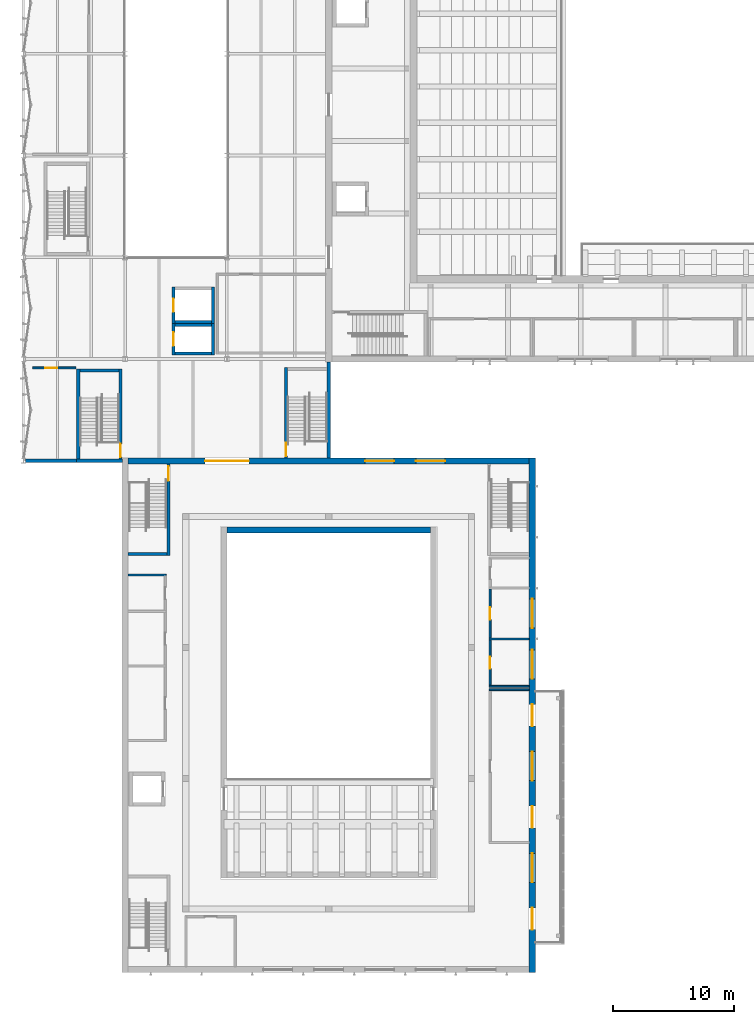
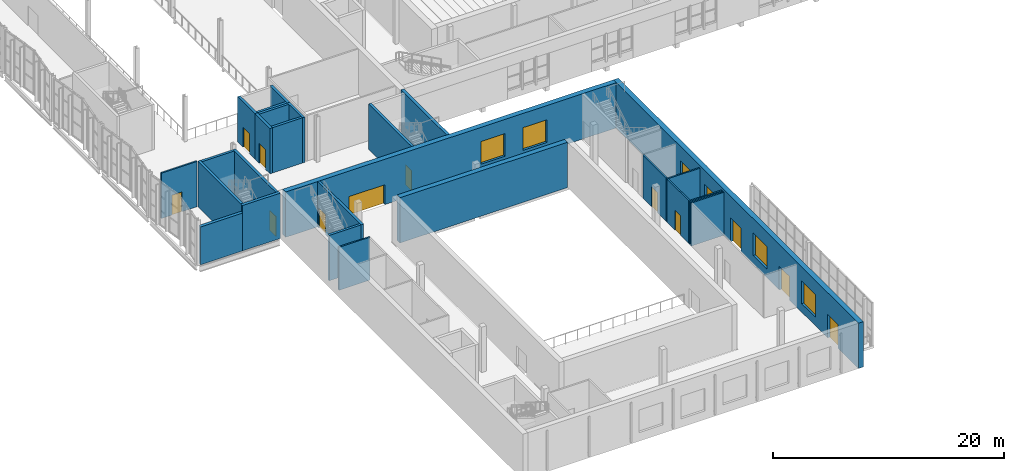
# One storey, part 71 of 127: 26 walls, 12 doors, 6 windows, 18 openings.
"""IFC4 building model written with IfcOpenShell, lengths in metres."""

from ifc_helpers import new_model, si_unit, direction, frame, frame_2d, origin, place, context, subcontext, project, spatial, rectangle, extrude, material, layer, layer_set, type_object, element, fill, save


model = new_model("IFC4")

# Units and contexts
model_context = context("Model", 3, precision=1e-05, world=origin(), true_north=direction((0.0, 1.0)))
body_context = subcontext(model_context, "Body", "Model", "MODEL_VIEW")
ifc_project = project(units=[si_unit("LENGTHUNIT", "METRE"), si_unit("AREAUNIT", "SQUARE_METRE"), si_unit("VOLUMEUNIT", "CUBIC_METRE"), si_unit("PLANEANGLEUNIT", "RADIAN"), si_unit("MASSUNIT", "GRAM", prefix="KILO")], contexts=[model_context])

# Site, building, storey
site_placement = place(None, origin())
site = spatial("IfcSite", under=ifc_project, at=site_placement, CompositionType="ELEMENT")
building_placement = place(site_placement, origin())
building = spatial("IfcBuilding", under=site, at=building_placement, Name="Ljudholm Concert House", CompositionType="ELEMENT")
storey_placement = place(building_placement, frame((0.0, 0.0, 5.39990234375)))
storey = spatial("IfcBuildingStorey", under=building, at=storey_placement, Name="L01", CompositionType="ELEMENT", Elevation=5.39990234375)

# Walls
ifc_material_1 = material(Name="Gypsum board on steel studs", Category="steel")
ifc_layer_1 = layer(ifc_material_1, 0.14990234375)
ifc_layer_set_1 = layer_set([ifc_layer_1], Name="Gypsum board on steel studs")
wall_type_1 = type_object("IfcWallType", Name="GYPSUM PARTITION 150", PredefinedType="PARTITIONING", material=ifc_layer_set_1)
wall_1_placement = place(storey_placement, frame((12.64990234375, 36.574951171875, 0.0), z_axis=(0.0, 0.0, 1.0), x_axis=(1.0, 0.0, 0.0)))
element("IfcWall", 1, at=wall_1_placement, inside=storey, type_object=wall_type_1, Name="Accessible WC partition", PredefinedType="PARTITIONING", context=body_context, shape_type="SweptSolid", body=[
    extrude(rectangle(XDim=3.125, YDim=0.14990234375, at=frame_2d((1.5625, 0.0))), origin(), (0.0, 0.0, 1.0), 4.550048828125),
])
wall_2_placement = place(storey_placement, frame((42.449951171875, 27.10009765625, 0.0), z_axis=(0.0, 0.0, 1.0), x_axis=(1.0, 0.0, 0.0)))
element("IfcWall", 2, at=wall_2_placement, inside=storey, type_object=wall_type_1, Name="Chamber Hall Bar partition", PredefinedType="PARTITIONING", context=body_context, shape_type="SweptSolid", body=[
    extrude(rectangle(XDim=3.300048828125, YDim=0.14990234375, at=frame_2d((1.64990234375, 0.0))), origin(), (0.0, 0.0, 1.0), 4.550048828125),
])

# Wall, opening, door
wall_3_placement = place(storey_placement, frame((42.52490234375, 27.47509765625, 0.0), z_axis=(0.0, 0.0, 1.0), x_axis=(0.0, 1.0, 0.0)))
wall_3 = element("IfcWall", 3, at=wall_3_placement, inside=storey, type_object=wall_type_1, Name="Dressing Room 3 partition", PredefinedType="PARTITIONING", context=body_context, shape_type="SweptSolid", body=[
    extrude(rectangle(XDim=3.75, YDim=0.14990234375, at=frame_2d((1.875, 0.0))), origin(), (0.0, 0.0, 1.0), 4.550048828125),
])
opening_1_placement = place(wall_3_placement, frame((1.375, 0.0, 0.0)))
opening_1 = element("IfcOpeningElement", 4, at=opening_1_placement, cuts=wall_3, Name="Opening D-C01-010", PredefinedType="OPENING", context=body_context, shape_type="SweptSolid", body=[
    extrude(rectangle(XDim=1.0, YDim=2.10009765625, at=frame_2d((0.5, 1.050048828125))), frame((0.0, 0.0849609375, 0.0), z_axis=(0.0, -1.0, 0.0), x_axis=(1.0, 0.0, 0.0)), (0.0, 0.0, 1.0), 0.169921875),
])
ifc_material_2 = material(Name="Hollow metal door in steel frame", Category="steel")
door_type_1 = type_object("IfcDoorType", Name="SWING DOOR 1000x2100", OperationType="SINGLE_SWING_LEFT", PredefinedType="DOOR", material=ifc_material_2)
door_1_placement = place(opening_1_placement, frame((1.0, 0.0, 0.0), z_axis=(0.0, 0.0, 1.0), x_axis=(-1.0, 0.0, 0.0)))
door_1 = element("IfcDoor", 5, at=door_1_placement, inside=storey, type_object=door_type_1, Name="Dressing Room 3 door", OperationType="SINGLE_SWING_RIGHT", OverallHeight=2.10009765625, OverallWidth=1.0, PredefinedType="DOOR", context=body_context, shape_type="SweptSolid", body=[
    extrude(rectangle(XDim=1.0, YDim=2.10009765625, at=frame_2d((0.5, 1.050048828125))), frame((0.0, 0.02490234375, 0.0), z_axis=(0.0, -1.0, 0.0), x_axis=(1.0, 0.0, 0.0)), (0.0, 0.0, 1.0), 0.050048828125),
])
fill(opening_1, door_1)

# Walls
for number, where, z_axis, x_axis, name in (
    (6, (42.449951171875, 27.39990234375, 0.0), (0.0, 0.0, 1.0), (1.0, 0.0, 0.0), "Dressing Room 3 partition"),
    (7, (42.449951171875, 31.300048828125, 0.0), (0.0, 0.0, 1.0), (1.0, 0.0, 0.0), "Dressing Room 3 partition"),
):
    element("IfcWall", number, at=place(storey_placement, frame(where, z_axis=z_axis, x_axis=x_axis)), inside=storey, type_object=wall_type_1, Name=name, PredefinedType="PARTITIONING", context=body_context, shape_type="SweptSolid", body=[
        extrude(rectangle(XDim=3.300048828125, YDim=0.14990234375, at=frame_2d((1.64990234375, 0.0))), origin(), (0.0, 0.0, 1.0), 4.550048828125),
    ])

# Wall, opening, door
wall_4_placement = place(storey_placement, frame((42.52490234375, 31.375, 0.0), z_axis=(0.0, 0.0, 1.0), x_axis=(0.0, 1.0, 0.0)))
wall_4 = element("IfcWall", 8, at=wall_4_placement, inside=storey, type_object=wall_type_1, Name="Dressing Room 4 partition", PredefinedType="PARTITIONING", context=body_context, shape_type="SweptSolid", body=[
    extrude(rectangle(XDim=4.050048828125, YDim=0.14990234375, at=frame_2d((2.02490234375, 0.0))), origin(), (0.0, 0.0, 1.0), 4.550048828125),
])
opening_2_placement = place(wall_4_placement, frame((1.52490234375, 0.0, 0.0)))
opening_2 = element("IfcOpeningElement", 9, at=opening_2_placement, cuts=wall_4, Name="Opening D-C01-011", PredefinedType="OPENING", context=body_context, shape_type="SweptSolid", body=[
    extrude(rectangle(XDim=1.0, YDim=2.10009765625, at=frame_2d((0.5, 1.050048828125))), frame((0.0, 0.0849609375, 0.0), z_axis=(0.0, -1.0, 0.0), x_axis=(1.0, 0.0, 0.0)), (0.0, 0.0, 1.0), 0.169921875),
])
door_2_placement = place(opening_2_placement, frame((1.0, 0.0, 0.0), z_axis=(0.0, 0.0, 1.0), x_axis=(-1.0, 0.0, 0.0)))
door_2 = element("IfcDoor", 10, at=door_2_placement, inside=storey, type_object=door_type_1, Name="Dressing Room 4 door", OperationType="SINGLE_SWING_RIGHT", OverallHeight=2.10009765625, OverallWidth=1.0, PredefinedType="DOOR", context=body_context, shape_type="SweptSolid", body=[
    extrude(rectangle(XDim=1.0, YDim=2.10009765625, at=frame_2d((0.5, 1.050048828125))), frame((0.0, 0.02490234375, 0.0), z_axis=(0.0, -1.0, 0.0), x_axis=(1.0, 0.0, 0.0)), (0.0, 0.0, 1.0), 0.050048828125),
])
fill(opening_2, door_2)

wall_5_placement = place(storey_placement, frame((4.75, 53.675048828125, 0.0), z_axis=(0.0, 0.0, 1.0), x_axis=(1.0, 0.0, 0.0)))
wall_5 = element("IfcWall", 11, at=wall_5_placement, inside=storey, type_object=wall_type_1, Name="Room wall", PredefinedType="PARTITIONING", context=body_context, shape_type="SweptSolid", body=[
    extrude(rectangle(XDim=3.574951171875, YDim=0.14990234375, at=frame_2d((1.78759765625, 0.0))), origin(), (0.0, 0.0, 1.0), 4.800048828125),
])
opening_3_placement = place(wall_5_placement, frame((1.050048828125, 0.0, 0.0)))
opening_3 = element("IfcOpeningElement", 12, at=opening_3_placement, cuts=wall_5, Name="Opening D-S01-010", PredefinedType="OPENING", context=body_context, shape_type="SweptSolid", body=[
    extrude(rectangle(XDim=1.0, YDim=2.10009765625, at=frame_2d((0.5, 1.050048828125))), frame((0.0, 0.0849609375, 0.0), z_axis=(0.0, -1.0, 0.0), x_axis=(1.0, 0.0, 0.0)), (0.0, 0.0, 1.0), 0.169921875),
])
door_3_placement = place(opening_3_placement, frame((1.0, 0.0, 0.0), z_axis=(0.0, 0.0, 1.0), x_axis=(-1.0, 0.0, 0.0)))
door_3 = element("IfcDoor", 13, at=door_3_placement, inside=storey, type_object=door_type_1, Name="Education Room door", OperationType="SINGLE_SWING_LEFT", OverallHeight=2.10009765625, OverallWidth=1.0, PredefinedType="DOOR", context=body_context, shape_type="SweptSolid", body=[
    extrude(rectangle(XDim=1.0, YDim=2.10009765625, at=frame_2d((0.5, 1.050048828125))), frame((0.0, 0.02490234375, 0.0), z_axis=(0.0, -1.0, 0.0), x_axis=(1.0, 0.0, 0.0)), (0.0, 0.0, 1.0), 0.050048828125),
])
fill(opening_3, door_3)

# Walls
ifc_material_3 = material(Name="Precast concrete 5,000 psi", Category="concrete")
ifc_layer_2 = layer(ifc_material_3, 0.300048828125)
ifc_layer_set_2 = layer_set([ifc_layer_2], Name="Precast concrete 5,000 psi")
wall_type_2 = type_object("IfcWallType", Name="PRECAST PANEL WALL 300", PredefinedType="SOLIDWALL", material=ifc_layer_set_2)
wall_6_placement = place(storey_placement, frame((4.18994140625, 46.0, 0.0), z_axis=(0.0, 0.0, 1.0), x_axis=(1.0, 0.0, 0.0)))
element("IfcWall", 14, at=wall_6_placement, inside=storey, type_object=wall_type_2, Name="South wall", PredefinedType="SOLIDWALL", context=body_context, shape_type="SweptSolid", body=[
    extrude(rectangle(XDim=4.2099609375, YDim=0.300048828125, at=frame_2d((2.10498046875, 0.0))), origin(), (0.0, 0.0, 1.0), 4.008056640625),
])
ifc_material_4 = material(Name="Concrete 6,500 psi", Category="concrete")
ifc_layer_3 = layer(ifc_material_4, 0.25)
ifc_layer_set_3 = layer_set([ifc_layer_3], Name="Concrete 6,500 psi")
wall_type_3 = type_object("IfcWallType", Name="RC CORE WALL 250", PredefinedType="SHEAR", material=ifc_layer_set_3)
wall_7_placement = place(storey_placement, frame((8.52490234375, 46.0, 0.0), z_axis=(0.0, 0.0, 1.0), x_axis=(0.0, 1.0, 0.0)))
element("IfcWall", 15, at=wall_7_placement, inside=storey, type_object=wall_type_3, Name="Stair enclosure wall", PredefinedType="SHEAR", context=body_context, shape_type="SweptSolid", body=[
    extrude(rectangle(XDim=7.60009765625, YDim=0.25, at=frame_2d((3.800048828125, 0.0))), origin(), (0.0, 0.0, 1.0), 4.800048828125),
])

# Wall, opening, door
wall_8_placement = place(storey_placement, frame((12.02490234375, 46.0, 0.0), z_axis=(0.0, 0.0, 1.0), x_axis=(0.0, 1.0, 0.0)))
wall_8 = element("IfcWall", 16, at=wall_8_placement, inside=storey, type_object=wall_type_3, Name="Stair enclosure wall", PredefinedType="SHEAR", context=body_context, shape_type="SweptSolid", body=[
    extrude(rectangle(XDim=7.60009765625, YDim=0.25, at=frame_2d((3.800048828125, 0.0))), origin(), (0.0, 0.0, 1.0), 4.800048828125),
])
opening_4_placement = place(wall_8_placement, frame((0.300048828125, 0.0, 0.0)))
opening_4 = element("IfcOpeningElement", 17, at=opening_4_placement, cuts=wall_8, Name="Opening D-S01-002", PredefinedType="OPENING", context=body_context, shape_type="SweptSolid", body=[
    extrude(rectangle(XDim=1.10009765625, YDim=2.10009765625, at=frame_2d((0.550048828125, 1.050048828125))), frame((0.0, 0.135009765625, 0.0), z_axis=(0.0, -1.0, 0.0), x_axis=(1.0, 0.0, 0.0)), (0.0, 0.0, 1.0), 0.27001953125),
])
ifc_material_5 = material(Name="Hollow metal door in steel frame", Category="steel")
door_type_2 = type_object("IfcDoorType", Name="SWING DOOR 1100x2100", OperationType="SINGLE_SWING_LEFT", PredefinedType="DOOR", material=ifc_material_5)
door_4_placement = place(opening_4_placement, origin())
door_4 = element("IfcDoor", 18, at=door_4_placement, inside=storey, type_object=door_type_2, Name="Stair door", OperationType="SINGLE_SWING_LEFT", OverallHeight=2.10009765625, OverallWidth=1.10009765625, PredefinedType="DOOR", context=body_context, shape_type="SweptSolid", body=[
    extrude(rectangle(XDim=1.10009765625, YDim=2.10009765625, at=frame_2d((0.550048828125, 1.050048828125))), frame((0.0, 0.02490234375, 0.0), z_axis=(0.0, -1.0, 0.0), x_axis=(1.0, 0.0, 0.0)), (0.0, 0.0, 1.0), 0.050048828125),
])
fill(opening_4, door_4)

# Wall
wall_9_placement = place(storey_placement, frame((8.64990234375, 53.47509765625, 0.0), z_axis=(0.0, 0.0, 1.0), x_axis=(1.0, 0.0, 0.0)))
element("IfcWall", 19, at=wall_9_placement, inside=storey, type_object=wall_type_3, Name="Stair enclosure wall", PredefinedType="SHEAR", context=body_context, shape_type="SweptSolid", body=[
    extrude(rectangle(XDim=3.25, YDim=0.25, at=frame_2d((1.625, 0.0))), origin(), (0.0, 0.0, 1.0), 4.800048828125),
])

# Wall, opening, door
wall_10_placement = place(storey_placement, frame((25.675048828125, 46.25, 0.0), z_axis=(0.0, 0.0, 1.0), x_axis=(0.0, 1.0, 0.0)))
wall_10 = element("IfcWall", 20, at=wall_10_placement, inside=storey, type_object=wall_type_3, Name="Stair enclosure wall", PredefinedType="SHEAR", context=body_context, shape_type="SweptSolid", body=[
    extrude(rectangle(XDim=7.449951171875, YDim=0.25, at=frame_2d((3.72509765625, 0.0))), origin(), (0.0, 0.0, 1.0), 4.800048828125),
])
opening_5_placement = place(wall_10_placement, frame((0.14990234375, 0.0, 0.0)))
opening_5 = element("IfcOpeningElement", 21, at=opening_5_placement, cuts=wall_10, Name="Opening D-S01-003", PredefinedType="OPENING", context=body_context, shape_type="SweptSolid", body=[
    extrude(rectangle(XDim=1.10009765625, YDim=2.10009765625, at=frame_2d((0.550048828125, 1.050048828125))), frame((0.0, 0.135009765625, 0.0), z_axis=(0.0, -1.0, 0.0), x_axis=(1.0, 0.0, 0.0)), (0.0, 0.0, 1.0), 0.27001953125),
])
door_5_placement = place(opening_5_placement, frame((1.10009765625, 0.0, 0.0), z_axis=(0.0, 0.0, 1.0), x_axis=(-1.0, 0.0, 0.0)))
door_5 = element("IfcDoor", 22, at=door_5_placement, inside=storey, type_object=door_type_2, Name="Stair door", OperationType="SINGLE_SWING_RIGHT", OverallHeight=2.10009765625, OverallWidth=1.10009765625, PredefinedType="DOOR", context=body_context, shape_type="SweptSolid", body=[
    extrude(rectangle(XDim=1.10009765625, YDim=2.10009765625, at=frame_2d((0.550048828125, 1.050048828125))), frame((0.0, 0.02490234375, 0.0), z_axis=(0.0, -1.0, 0.0), x_axis=(1.0, 0.0, 0.0)), (0.0, 0.0, 1.0), 0.050048828125),
])
fill(opening_5, door_5)

ifc_material_6 = material(Name="Concrete 6,500 psi", Category="concrete")
ifc_layer_4 = layer(ifc_material_6, 0.25)
ifc_layer_set_4 = layer_set([ifc_layer_4], Name="Concrete 6,500 psi")
wall_type_4 = type_object("IfcWallType", Name="RC WALL 250", PredefinedType="SOLIDWALL", material=ifc_layer_set_4)
wall_11_placement = place(storey_placement, frame((15.97509765625, 38.179931640625, 0.0), z_axis=(0.0, 0.0, 1.0), x_axis=(0.0, 1.0, 0.0)))
wall_11 = element("IfcWall", 23, at=wall_11_placement, inside=storey, type_object=wall_type_4, Name="Stair enclosure wall EC2", PredefinedType="SOLIDWALL", context=body_context, shape_type="SweptSolid", body=[
    extrude(rectangle(XDim=7.570068359375, YDim=0.25, at=frame_2d((3.78515625, 0.0))), origin(), (0.0, 0.0, 1.0), 4.800048828125),
])
opening_6_placement = place(wall_11_placement, frame((6.169921875, 0.0, 0.0)))
opening_6 = element("IfcOpeningElement", 24, at=opening_6_placement, cuts=wall_11, Name="Opening D-C01-014", PredefinedType="OPENING", context=body_context, shape_type="SweptSolid", body=[
    extrude(rectangle(XDim=1.199951171875, YDim=2.10009765625, at=frame_2d((0.60009765625, 1.050048828125))), frame((0.0, 0.135009765625, 0.0), z_axis=(0.0, -1.0, 0.0), x_axis=(1.0, 0.0, 0.0)), (0.0, 0.0, 1.0), 0.27001953125),
])
ifc_material_7 = material(Name="Hollow metal door in steel frame", Category="steel")
door_type_3 = type_object("IfcDoorType", Name="SWING DOOR 1200x2100", OperationType="SINGLE_SWING_LEFT", PredefinedType="DOOR", material=ifc_material_7)
door_6_placement = place(opening_6_placement, origin())
door_6 = element("IfcDoor", 25, at=door_6_placement, inside=storey, type_object=door_type_3, Name="Exit stair EC2 door", OperationType="SINGLE_SWING_LEFT", OverallHeight=2.10009765625, OverallWidth=1.199951171875, PredefinedType="DOOR", context=body_context, shape_type="SweptSolid", body=[
    extrude(rectangle(XDim=1.199951171875, YDim=2.10009765625, at=frame_2d((0.60009765625, 1.050048828125))), frame((0.0, 0.02490234375, 0.0), z_axis=(0.0, -1.0, 0.0), x_axis=(1.0, 0.0, 0.0)), (0.0, 0.0, 1.0), 0.050048828125),
])
fill(opening_6, door_6)

# Wall
wall_12_placement = place(storey_placement, frame((12.64990234375, 38.304931640625, 0.0), z_axis=(0.0, 0.0, 1.0), x_axis=(1.0, 0.0, 0.0)))
element("IfcWall", 26, at=wall_12_placement, inside=storey, type_object=wall_type_4, Name="Stair enclosure wall EC2", PredefinedType="SOLIDWALL", context=body_context, shape_type="SweptSolid", body=[
    extrude(rectangle(XDim=3.2001953125, YDim=0.25, at=frame_2d((1.60009765625, 0.0))), origin(), (0.0, 0.0, 1.0), 4.800048828125),
])

# Wall, opening, door
wall_13_placement = place(storey_placement, frame((16.39990234375, 54.75, 0.0), z_axis=(0.0, 0.0, 1.0), x_axis=(0.0, 1.0, 0.0)))
wall_13 = element("IfcWall", 27, at=wall_13_placement, inside=storey, type_object=wall_type_4, Name="Lift shaft wall", PredefinedType="SOLIDWALL", context=body_context, shape_type="SweptSolid", body=[
    extrude(rectangle(XDim=2.60009765625, YDim=0.25, at=frame_2d((1.300048828125, 0.0))), origin(), (0.0, 0.0, 1.0), 4.800048828125),
])
opening_7_placement = place(wall_13_placement, frame((0.75, 0.0, 0.0)))
opening_7 = element("IfcOpeningElement", 28, at=opening_7_placement, cuts=wall_13, Name="Opening LD-S01-008", PredefinedType="OPENING", context=body_context, shape_type="SweptSolid", body=[
    extrude(rectangle(XDim=1.10009765625, YDim=2.10009765625, at=frame_2d((0.550048828125, 1.050048828125))), frame((0.0, 0.135009765625, 0.0), z_axis=(0.0, -1.0, 0.0), x_axis=(1.0, 0.0, 0.0)), (0.0, 0.0, 1.0), 0.27001953125),
])
ifc_material_8 = material(Name="Stainless steel sliding landing door, fire-rated", Category="steel")
door_type_4 = type_object("IfcDoorType", Name="LIFT DOOR 1100x2100", OperationType="SLIDING_TO_LEFT", PredefinedType="DOOR", material=ifc_material_8)
door_7_placement = place(opening_7_placement, origin())
door_7 = element("IfcDoor", 29, at=door_7_placement, inside=storey, type_object=door_type_4, Name="Lift landing door", OperationType="SLIDING_TO_LEFT", OverallHeight=2.10009765625, OverallWidth=1.10009765625, PredefinedType="DOOR", context=body_context, shape_type="SweptSolid", body=[
    extrude(rectangle(XDim=1.10009765625, YDim=2.10009765625, at=frame_2d((0.550048828125, 1.050048828125))), frame((0.0, 0.02490234375, 0.0), z_axis=(0.0, -1.0, 0.0), x_axis=(1.0, 0.0, 0.0)), (0.0, 0.0, 1.0), 0.050048828125),
])
fill(opening_7, door_7)

# Walls
wall_14_placement = place(storey_placement, frame((19.64990234375, 54.75, 0.0), z_axis=(0.0, 0.0, 1.0), x_axis=(0.0, 1.0, 0.0)))
element("IfcWall", 30, at=wall_14_placement, inside=storey, type_object=wall_type_4, Name="Lift shaft wall", PredefinedType="SOLIDWALL", context=body_context, shape_type="SweptSolid", body=[
    extrude(rectangle(XDim=2.60009765625, YDim=0.25, at=frame_2d((1.300048828125, 0.0))), origin(), (0.0, 0.0, 1.0), 4.800048828125),
])
for number, where, z_axis, x_axis, name in (
    (31, (16.52490234375, 54.875, 0.0), (0.0, 0.0, 1.0), (1.0, 0.0, 0.0), "Lift shaft wall"),
    (32, (16.52490234375, 57.22509765625, 0.0), (0.0, 0.0, 1.0), (1.0, 0.0, 0.0), "Lift shaft wall"),
):
    element("IfcWall", number, at=place(storey_placement, frame(where, z_axis=z_axis, x_axis=x_axis)), inside=storey, type_object=wall_type_4, Name=name, PredefinedType="SOLIDWALL", context=body_context, shape_type="SweptSolid", body=[
        extrude(rectangle(XDim=3.0, YDim=0.25, at=frame_2d((1.5, 0.0))), origin(), (0.0, 0.0, 1.0), 4.800048828125),
    ])

# Wall, opening, door
wall_15_placement = place(storey_placement, frame((16.39990234375, 57.35009765625, 0.0), z_axis=(0.0, 0.0, 1.0), x_axis=(0.0, 1.0, 0.0)))
wall_15 = element("IfcWall", 33, at=wall_15_placement, inside=storey, type_object=wall_type_4, Name="Lift shaft wall", PredefinedType="SOLIDWALL", context=body_context, shape_type="SweptSolid", body=[
    extrude(rectangle(XDim=3.0, YDim=0.25, at=frame_2d((1.5, 0.0))), origin(), (0.0, 0.0, 1.0), 4.800048828125),
])
opening_8_placement = place(wall_15_placement, frame((0.949951171875, 0.0, 0.0)))
opening_8 = element("IfcOpeningElement", 34, at=opening_8_placement, cuts=wall_15, Name="Opening LD-S01-009", PredefinedType="OPENING", context=body_context, shape_type="SweptSolid", body=[
    extrude(rectangle(XDim=1.10009765625, YDim=2.10009765625, at=frame_2d((0.550048828125, 1.050048828125))), frame((0.0, 0.135009765625, 0.0), z_axis=(0.0, -1.0, 0.0), x_axis=(1.0, 0.0, 0.0)), (0.0, 0.0, 1.0), 0.27001953125),
])
door_8_placement = place(opening_8_placement, origin())
door_8 = element("IfcDoor", 35, at=door_8_placement, inside=storey, type_object=door_type_4, Name="Lift landing door", OperationType="SLIDING_TO_LEFT", OverallHeight=2.10009765625, OverallWidth=1.10009765625, PredefinedType="DOOR", context=body_context, shape_type="SweptSolid", body=[
    extrude(rectangle(XDim=1.10009765625, YDim=2.10009765625, at=frame_2d((0.550048828125, 1.050048828125))), frame((0.0, 0.02490234375, 0.0), z_axis=(0.0, -1.0, 0.0), x_axis=(1.0, 0.0, 0.0)), (0.0, 0.0, 1.0), 0.050048828125),
])
fill(opening_8, door_8)

# Walls
for number, where, z_axis, x_axis, name in (
    (36, (19.64990234375, 57.35009765625, 0.0), (0.0, 0.0, 1.0), (0.0, 1.0, 0.0), "Lift shaft wall"),
    (37, (16.52490234375, 57.47509765625, 0.0), (0.0, 0.0, 1.0), (1.0, 0.0, 0.0), "Lift shaft wall"),
):
    element("IfcWall", number, at=place(storey_placement, frame(where, z_axis=z_axis, x_axis=x_axis)), inside=storey, type_object=wall_type_4, Name=name, PredefinedType="SOLIDWALL", context=body_context, shape_type="SweptSolid", body=[
        extrude(rectangle(XDim=3.0, YDim=0.25, at=frame_2d((1.5, 0.0))), origin(), (0.0, 0.0, 1.0), 4.800048828125),
    ])
ifc_material_9 = material(Name="Concrete 6,500 psi", Category="concrete")
ifc_layer_5 = layer(ifc_material_9, 0.300048828125)
ifc_layer_set_5 = layer_set([ifc_layer_5], Name="Concrete 6,500 psi")
wall_type_5 = type_object("IfcWallType", Name="RC WALL 300 EXTERNAL", PredefinedType="SOLIDWALL", material=ifc_layer_set_5)
wall_16_placement = place(storey_placement, frame((29.199951171875, 46.25, 0.0), z_axis=(0.0, 0.0, 1.0), x_axis=(0.0, 1.0, 0.0)))
element("IfcWall", 38, at=wall_16_placement, inside=storey, type_object=wall_type_5, Name="Stair enclosure wall", PredefinedType="SOLIDWALL", context=body_context, shape_type="SweptSolid", body=[
    extrude(rectangle(XDim=7.89990234375, YDim=0.300048828125, at=frame_2d((3.949951171875, 0.0))), origin(), (0.0, 0.0, 1.0), 4.800048828125),
])
wall_17_placement = place(storey_placement, frame((8.39990234375, 46.0, 0.0), z_axis=(0.0, 0.0, 1.0), x_axis=(1.0, 0.0, 0.0)))
element("IfcWall", 39, at=wall_17_placement, inside=storey, type_object=wall_type_5, Name="Stair enclosure wall", PredefinedType="SOLIDWALL", context=body_context, shape_type="SweptSolid", body=[
    extrude(rectangle(XDim=3.775146484375, YDim=0.300048828125, at=frame_2d((1.8876953125, 0.0))), origin(), (0.0, 0.0, 1.0), 4.800048828125),
])

# Wall, openings, doors, windows
ifc_material_10 = material(Name="Concrete 6,500 psi", Category="concrete")
ifc_layer_6 = layer(ifc_material_10, 0.5)
ifc_layer_set_6 = layer_set([ifc_layer_6], Name="Concrete 6,500 psi")
wall_type_6 = type_object("IfcWallType", Name="RC WALL 500", PredefinedType="SOLIDWALL", material=ifc_layer_set_6)
wall_18_placement = place(storey_placement, frame((46.0, 3.75, 0.0), z_axis=(0.0, 0.0, 1.0), x_axis=(0.0, 1.0, 0.0)))
wall_18 = element("IfcWall", 40, at=wall_18_placement, inside=storey, type_object=wall_type_6, Name="Outer wall E", PredefinedType="SOLIDWALL", context=body_context, shape_type="SweptSolid", body=[
    extrude(rectangle(XDim=42.5, YDim=0.5, at=frame_2d((21.25, 0.0))), origin(), (0.0, 0.0, 1.0), 4.800048828125),
])
opening_9_placement = place(wall_18_placement, frame((7.449951171875, 0.0, 0.89990234375)))
opening_9 = element("IfcOpeningElement", 41, at=opening_9_placement, cuts=wall_18, Name="Opening X-C01-006", PredefinedType="OPENING", context=body_context, shape_type="SweptSolid", body=[
    extrude(rectangle(XDim=2.39990234375, YDim=2.39990234375, at=frame_2d((1.199951171875, 1.199951171875))), frame((0.0, 0.260009765625, 0.0), z_axis=(0.0, -1.0, 0.0), x_axis=(1.0, 0.0, 0.0)), (0.0, 0.0, 1.0), 0.52001953125),
])
opening_10_placement = place(wall_18_placement, frame((15.85009765625, 0.0, 0.89990234375)))
opening_10 = element("IfcOpeningElement", 42, at=opening_10_placement, cuts=wall_18, Name="Opening X-C01-007", PredefinedType="OPENING", context=body_context, shape_type="SweptSolid", body=[
    extrude(rectangle(XDim=2.39990234375, YDim=2.39990234375, at=frame_2d((1.199951171875, 1.199951171875))), frame((0.0, 0.260009765625, 0.0), z_axis=(0.0, -1.0, 0.0), x_axis=(1.0, 0.0, 0.0)), (0.0, 0.0, 1.0), 0.52001953125),
])
opening_11_placement = place(wall_18_placement, frame((24.25, 0.0, 0.89990234375)))
opening_11 = element("IfcOpeningElement", 43, at=opening_11_placement, cuts=wall_18, Name="Opening X-C01-008", PredefinedType="OPENING", context=body_context, shape_type="SweptSolid", body=[
    extrude(rectangle(XDim=2.39990234375, YDim=2.39990234375, at=frame_2d((1.199951171875, 1.199951171875))), frame((0.0, 0.260009765625, 0.0), z_axis=(0.0, -1.0, 0.0), x_axis=(1.0, 0.0, 0.0)), (0.0, 0.0, 1.0), 0.52001953125),
])
opening_12_placement = place(wall_18_placement, frame((28.449951171875, 0.0, 0.89990234375)))
opening_12 = element("IfcOpeningElement", 44, at=opening_12_placement, cuts=wall_18, Name="Opening X-C01-009", PredefinedType="OPENING", context=body_context, shape_type="SweptSolid", body=[
    extrude(rectangle(XDim=2.39990234375, YDim=2.39990234375, at=frame_2d((1.199951171875, 1.199951171875))), frame((0.0, 0.260009765625, 0.0), z_axis=(0.0, -1.0, 0.0), x_axis=(1.0, 0.0, 0.0)), (0.0, 0.0, 1.0), 0.52001953125),
])
opening_13_placement = place(wall_18_placement, frame((3.550048828125, 0.0, 0.0)))
opening_13 = element("IfcOpeningElement", 45, at=opening_13_placement, cuts=wall_18, Name="Opening D-C01-002", PredefinedType="OPENING", context=body_context, shape_type="SweptSolid", body=[
    extrude(rectangle(XDim=1.800048828125, YDim=2.5, at=frame_2d((0.89990234375, 1.25))), frame((0.0, 0.260009765625, 0.0), z_axis=(0.0, -1.0, 0.0), x_axis=(1.0, 0.0, 0.0)), (0.0, 0.0, 1.0), 0.52001953125),
])
opening_14_placement = place(wall_18_placement, frame((11.949951171875, 0.0, 0.0)))
opening_14 = element("IfcOpeningElement", 46, at=opening_14_placement, cuts=wall_18, Name="Opening D-C01-003", PredefinedType="OPENING", context=body_context, shape_type="SweptSolid", body=[
    extrude(rectangle(XDim=1.800048828125, YDim=2.5, at=frame_2d((0.89990234375, 1.25))), frame((0.0, 0.260009765625, 0.0), z_axis=(0.0, -1.0, 0.0), x_axis=(1.0, 0.0, 0.0)), (0.0, 0.0, 1.0), 0.52001953125),
])
opening_15_placement = place(wall_18_placement, frame((20.35009765625, 0.0, 0.0)))
opening_15 = element("IfcOpeningElement", 47, at=opening_15_placement, cuts=wall_18, Name="Opening D-C01-004", PredefinedType="OPENING", context=body_context, shape_type="SweptSolid", body=[
    extrude(rectangle(XDim=1.800048828125, YDim=2.5, at=frame_2d((0.89990234375, 1.25))), frame((0.0, 0.260009765625, 0.0), z_axis=(0.0, -1.0, 0.0), x_axis=(1.0, 0.0, 0.0)), (0.0, 0.0, 1.0), 0.52001953125),
])
ifc_material_11 = material(Name="Aluminium-framed glazed door, impact-rated", Category="aluminium")
door_type_5 = type_object("IfcDoorType", Name="DOUBLE DOOR 1800x2500", OperationType="DOUBLE_DOOR_SINGLE_SWING", PredefinedType="DOOR", material=ifc_material_11)
door_9_placement = place(opening_13_placement, frame((1.800048828125, 0.0, 0.0), z_axis=(0.0, 0.0, 1.0), x_axis=(-1.0, 0.0, 0.0)))
door_9 = element("IfcDoor", 48, at=door_9_placement, inside=storey, type_object=door_type_5, Name="Loggia door", OperationType="DOUBLE_DOOR_SINGLE_SWING", OverallHeight=2.5, OverallWidth=1.800048828125, PredefinedType="DOOR", context=body_context, shape_type="SweptSolid", body=[
    extrude(rectangle(XDim=1.800048828125, YDim=2.5, at=frame_2d((0.89990234375, 1.25))), frame((0.0, 0.02490234375, 0.0), z_axis=(0.0, -1.0, 0.0), x_axis=(1.0, 0.0, 0.0)), (0.0, 0.0, 1.0), 0.050048828125),
])
fill(opening_13, door_9)
door_10_placement = place(opening_14_placement, frame((1.800048828125, 0.0, 0.0), z_axis=(0.0, 0.0, 1.0), x_axis=(-1.0, 0.0, 0.0)))
door_10 = element("IfcDoor", 49, at=door_10_placement, inside=storey, type_object=door_type_5, Name="Loggia door", OperationType="DOUBLE_DOOR_SINGLE_SWING", OverallHeight=2.5, OverallWidth=1.800048828125, PredefinedType="DOOR", context=body_context, shape_type="SweptSolid", body=[
    extrude(rectangle(XDim=1.800048828125, YDim=2.5, at=frame_2d((0.89990234375, 1.25))), frame((0.0, 0.02490234375, 0.0), z_axis=(0.0, -1.0, 0.0), x_axis=(1.0, 0.0, 0.0)), (0.0, 0.0, 1.0), 0.050048828125),
])
fill(opening_14, door_10)
door_11_placement = place(opening_15_placement, frame((1.800048828125, 0.0, 0.0), z_axis=(0.0, 0.0, 1.0), x_axis=(-1.0, 0.0, 0.0)))
door_11 = element("IfcDoor", 50, at=door_11_placement, inside=storey, type_object=door_type_5, Name="Loggia door", OperationType="DOUBLE_DOOR_SINGLE_SWING", OverallHeight=2.5, OverallWidth=1.800048828125, PredefinedType="DOOR", context=body_context, shape_type="SweptSolid", body=[
    extrude(rectangle(XDim=1.800048828125, YDim=2.5, at=frame_2d((0.89990234375, 1.25))), frame((0.0, 0.02490234375, 0.0), z_axis=(0.0, -1.0, 0.0), x_axis=(1.0, 0.0, 0.0)), (0.0, 0.0, 1.0), 0.050048828125),
])
fill(opening_15, door_11)
ifc_material_12 = material(Name="Aluminium frame, impact glazing", Category="aluminium")
window_type = type_object("IfcWindowType", Name="FIXED WINDOW 2400x2400", PartitioningType="SINGLE_PANEL", PredefinedType="WINDOW", material=ifc_material_12)
window_1_placement = place(opening_9_placement, origin())
window_1 = element("IfcWindow", 51, at=window_1_placement, inside=storey, type_object=window_type, Name="Promenade window", OverallHeight=2.39990234375, OverallWidth=2.39990234375, PartitioningType="SINGLE_PANEL", PredefinedType="WINDOW", context=body_context, shape_type="SweptSolid", body=[
    extrude(rectangle(XDim=2.39990234375, YDim=2.39990234375, at=frame_2d((1.199951171875, 1.199951171875))), frame((0.0, 0.030029296875, 0.0), z_axis=(0.0, -1.0, 0.0), x_axis=(1.0, 0.0, 0.0)), (0.0, 0.0, 1.0), 0.06005859375),
])
fill(opening_9, window_1)
window_2_placement = place(opening_10_placement, origin())
window_2 = element("IfcWindow", 52, at=window_2_placement, inside=storey, type_object=window_type, Name="Promenade window", OverallHeight=2.39990234375, OverallWidth=2.39990234375, PartitioningType="SINGLE_PANEL", PredefinedType="WINDOW", context=body_context, shape_type="SweptSolid", body=[
    extrude(rectangle(XDim=2.39990234375, YDim=2.39990234375, at=frame_2d((1.199951171875, 1.199951171875))), frame((0.0, 0.030029296875, 0.0), z_axis=(0.0, -1.0, 0.0), x_axis=(1.0, 0.0, 0.0)), (0.0, 0.0, 1.0), 0.06005859375),
])
fill(opening_10, window_2)
window_3_placement = place(opening_11_placement, origin())
window_3 = element("IfcWindow", 53, at=window_3_placement, inside=storey, type_object=window_type, Name="Promenade window", OverallHeight=2.39990234375, OverallWidth=2.39990234375, PartitioningType="SINGLE_PANEL", PredefinedType="WINDOW", context=body_context, shape_type="SweptSolid", body=[
    extrude(rectangle(XDim=2.39990234375, YDim=2.39990234375, at=frame_2d((1.199951171875, 1.199951171875))), frame((0.0, 0.030029296875, 0.0), z_axis=(0.0, -1.0, 0.0), x_axis=(1.0, 0.0, 0.0)), (0.0, 0.0, 1.0), 0.06005859375),
])
fill(opening_11, window_3)
window_4_placement = place(opening_12_placement, origin())
window_4 = element("IfcWindow", 54, at=window_4_placement, inside=storey, type_object=window_type, Name="Promenade window", OverallHeight=2.39990234375, OverallWidth=2.39990234375, PartitioningType="SINGLE_PANEL", PredefinedType="WINDOW", context=body_context, shape_type="SweptSolid", body=[
    extrude(rectangle(XDim=2.39990234375, YDim=2.39990234375, at=frame_2d((1.199951171875, 1.199951171875))), frame((0.0, 0.030029296875, 0.0), z_axis=(0.0, -1.0, 0.0), x_axis=(1.0, 0.0, 0.0)), (0.0, 0.0, 1.0), 0.06005859375),
])
fill(opening_12, window_4)

# Wall, openings, door, windows
wall_19_placement = place(storey_placement, frame((12.64990234375, 46.0, 0.0), z_axis=(0.0, 0.0, 1.0), x_axis=(1.0, 0.0, 0.0)))
wall_19 = element("IfcWall", 55, at=wall_19_placement, inside=storey, type_object=wall_type_6, Name="Outer wall N", PredefinedType="SOLIDWALL", context=body_context, shape_type="SweptSolid", body=[
    extrude(rectangle(XDim=33.10009765625, YDim=0.5, at=frame_2d((16.550048828125, 0.0))), origin(), (0.0, 0.0, 1.0), 4.800048828125),
])
opening_16_placement = place(wall_19_placement, frame((19.550048828125, 0.0, 0.89990234375)))
opening_16 = element("IfcOpeningElement", 56, at=opening_16_placement, cuts=wall_19, Name="Opening X-C01-010", PredefinedType="OPENING", context=body_context, shape_type="SweptSolid", body=[
    extrude(rectangle(XDim=2.39990234375, YDim=2.39990234375, at=frame_2d((1.199951171875, 1.199951171875))), frame((0.0, 0.260009765625, 0.0), z_axis=(0.0, -1.0, 0.0), x_axis=(1.0, 0.0, 0.0)), (0.0, 0.0, 1.0), 0.52001953125),
])
opening_17_placement = place(wall_19_placement, frame((23.75, 0.0, 0.89990234375)))
opening_17 = element("IfcOpeningElement", 57, at=opening_17_placement, cuts=wall_19, Name="Opening X-C01-011", PredefinedType="OPENING", context=body_context, shape_type="SweptSolid", body=[
    extrude(rectangle(XDim=2.39990234375, YDim=2.39990234375, at=frame_2d((1.199951171875, 1.199951171875))), frame((0.0, 0.260009765625, 0.0), z_axis=(0.0, -1.0, 0.0), x_axis=(1.0, 0.0, 0.0)), (0.0, 0.0, 1.0), 0.52001953125),
])
opening_18_placement = place(wall_19_placement, frame((6.35009765625, 0.0, 0.0)))
opening_18 = element("IfcOpeningElement", 58, at=opening_18_placement, cuts=wall_19, Name="Opening D-C01-016", PredefinedType="OPENING", context=body_context, shape_type="SweptSolid", body=[
    extrude(rectangle(XDim=3.60009765625, YDim=2.10009765625, at=frame_2d((1.800048828125, 1.050048828125))), frame((0.0, 0.260009765625, 0.0), z_axis=(0.0, -1.0, 0.0), x_axis=(1.0, 0.0, 0.0)), (0.0, 0.0, 1.0), 0.52001953125),
])
ifc_material_13 = material(Name="Hollow metal door in steel frame", Category="steel")
door_type_6 = type_object("IfcDoorType", Name="DOUBLE DOOR 3600x2100", OperationType="DOUBLE_DOOR_SINGLE_SWING", PredefinedType="DOOR", material=ifc_material_13)
door_12_placement = place(opening_18_placement, origin())
door_12 = element("IfcDoor", 59, at=door_12_placement, inside=storey, type_object=door_type_6, Name="Port P-CS-1 door", OperationType="DOUBLE_DOOR_SINGLE_SWING", OverallHeight=2.10009765625, OverallWidth=3.60009765625, PredefinedType="DOOR", context=body_context, shape_type="SweptSolid", body=[
    extrude(rectangle(XDim=3.60009765625, YDim=2.10009765625, at=frame_2d((1.800048828125, 1.050048828125))), frame((0.0, 0.02490234375, 0.0), z_axis=(0.0, -1.0, 0.0), x_axis=(1.0, 0.0, 0.0)), (0.0, 0.0, 1.0), 0.050048828125),
])
fill(opening_18, door_12)
window_5_placement = place(opening_16_placement, origin())
window_5 = element("IfcWindow", 60, at=window_5_placement, inside=storey, type_object=window_type, Name="Promenade window", OverallHeight=2.39990234375, OverallWidth=2.39990234375, PartitioningType="SINGLE_PANEL", PredefinedType="WINDOW", context=body_context, shape_type="SweptSolid", body=[
    extrude(rectangle(XDim=2.39990234375, YDim=2.39990234375, at=frame_2d((1.199951171875, 1.199951171875))), frame((0.0, 0.030029296875, 0.0), z_axis=(0.0, -1.0, 0.0), x_axis=(1.0, 0.0, 0.0)), (0.0, 0.0, 1.0), 0.06005859375),
])
fill(opening_16, window_5)
window_6_placement = place(opening_17_placement, origin())
window_6 = element("IfcWindow", 61, at=window_6_placement, inside=storey, type_object=window_type, Name="Promenade window", OverallHeight=2.39990234375, OverallWidth=2.39990234375, PartitioningType="SINGLE_PANEL", PredefinedType="WINDOW", context=body_context, shape_type="SweptSolid", body=[
    extrude(rectangle(XDim=2.39990234375, YDim=2.39990234375, at=frame_2d((1.199951171875, 1.199951171875))), frame((0.0, 0.030029296875, 0.0), z_axis=(0.0, -1.0, 0.0), x_axis=(1.0, 0.0, 0.0)), (0.0, 0.0, 1.0), 0.06005859375),
])
fill(opening_17, window_6)

# Wall
ifc_material_14 = material(Name="Concrete 6,500 psi", Category="concrete")
ifc_layer_7 = layer(ifc_material_14, 0.5)
ifc_layer_set_7 = layer_set([ifc_layer_7], Name="Concrete 6,500 psi")
wall_type_7 = type_object("IfcWallType", Name="RC WALL 500 INTERNAL", PredefinedType="SOLIDWALL", material=ifc_layer_set_7)
wall_20_placement = place(storey_placement, frame((20.800048828125, 40.300048828125, 0.0), z_axis=(0.0, 0.0, 1.0), x_axis=(1.0, 0.0, 0.0)))
element("IfcWall", 62, at=wall_20_placement, inside=storey, type_object=wall_type_7, Name="Inner box wall N", PredefinedType="SOLIDWALL", context=body_context, shape_type="SweptSolid", body=[
    extrude(rectangle(XDim=16.800048828125, YDim=0.5, at=frame_2d((8.39990234375, 0.0))), origin(), (0.0, 0.0, 1.0), 4.800048828125),
])

save(model, "model.ifc")
